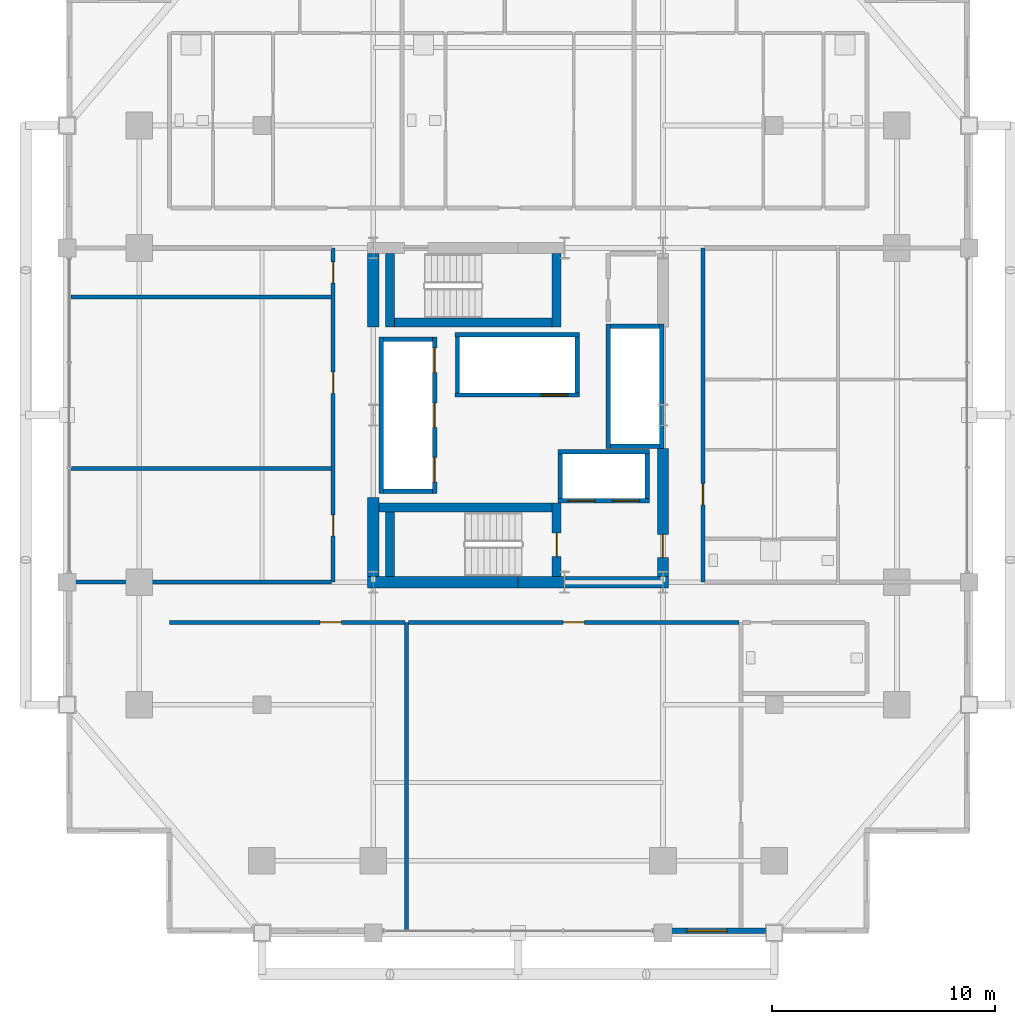
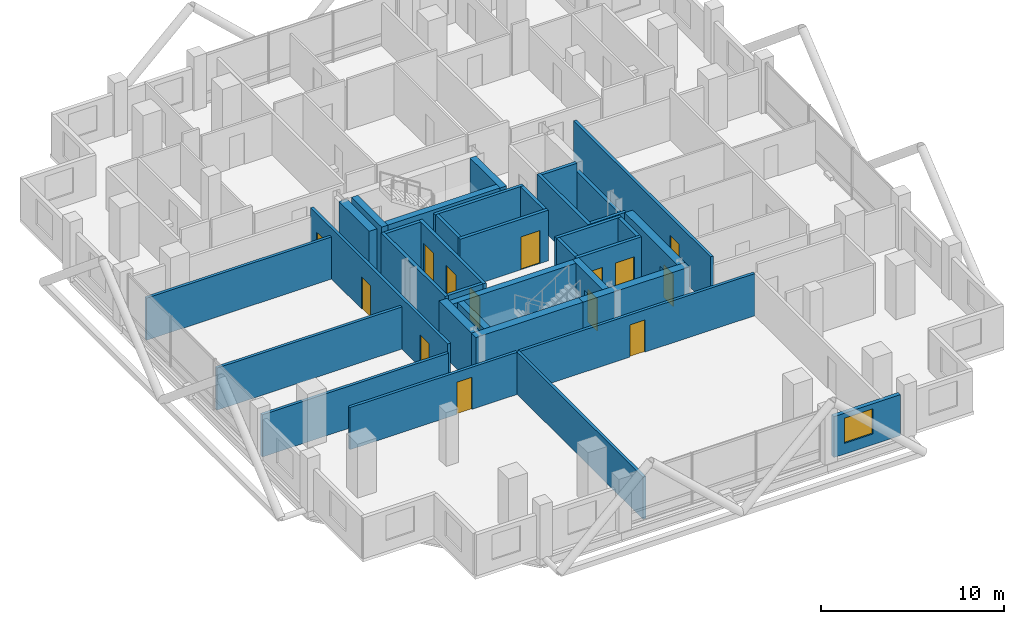
# One storey, part 19 of 24: 36 walls, 14 doors, 1 window, 15 openings.
"""IFC4 building model written with IfcOpenShell, lengths in metres."""

from ifc_helpers import new_model, si_unit, direction, frame, frame_2d, origin, place, context, subcontext, project, spatial, rectangle, extrude, material, layer, layer_set, type_object, element, fill, save


model = new_model("IFC4")

# Units and contexts
model_context = context("Model", 3, precision=1e-05, world=origin(), true_north=direction((0.0, 1.0)))
body_context = subcontext(model_context, "Body", "Model", "MODEL_VIEW")
ifc_project = project(units=[si_unit("LENGTHUNIT", "METRE"), si_unit("AREAUNIT", "SQUARE_METRE"), si_unit("VOLUMEUNIT", "CUBIC_METRE"), si_unit("PLANEANGLEUNIT", "RADIAN"), si_unit("MASSUNIT", "GRAM", prefix="KILO")], contexts=[model_context])

# Site, building, storey
site_placement = place(None, origin())
site = spatial("IfcSite", under=ifc_project, at=site_placement, CompositionType="ELEMENT")
building_placement = place(site_placement, origin())
building = spatial("IfcBuilding", under=site, at=building_placement, Name="Barlavira Tower and Art Museum", CompositionType="ELEMENT")
storey_placement = place(building_placement, frame((0.0, 0.0, 109.800048828125)))
storey = spatial("IfcBuildingStorey", under=building, at=storey_placement, Name="L27", CompositionType="ELEMENT", Elevation=109.800048828125)

# Walls
ifc_material_1 = material(Name="Concrete C60", Category="concrete")
ifc_layer_1 = layer(ifc_material_1, 0.5, Name="Concrete C60")
ifc_layer_set_1 = layer_set([ifc_layer_1], Name="Concrete C60")
wall_type_1 = type_object("IfcWallType", Name="Core Structural Shear Wall 500 Concrete C60", PredefinedType="SHEAR", material=ifc_layer_set_1)
for number, where, z_axis, x_axis, name in (
    (1, (-6.75, -7.5, 0.0), (0.0, 0.0, 1.0), (1.0, 0.0, 0.0), "L27 Core Shear Wall CS-SW"),
    (2, (0.0, -7.5, 0.0), (0.0, 0.0, 1.0), (1.0, 0.0, 0.0), "L27 Core Shear Wall CS-SE"),
):
    element("IfcWall", number, at=place(storey_placement, frame(where, z_axis=z_axis, x_axis=x_axis)), inside=storey, type_object=wall_type_1, Name=name, PredefinedType="SHEAR", context=body_context, shape_type="SweptSolid", body=[
        extrude(rectangle(XDim=6.75, YDim=0.5, at=frame_2d((3.375, 0.0))), origin(), (0.0, 0.0, 1.0), 3.3798828125),
    ])
wall_1_placement = place(storey_placement, frame((-6.5, -7.25, 0.0), z_axis=(0.0, 0.0, 1.0), x_axis=(0.0, 1.0, 0.0)))
element("IfcWall", 3, at=wall_1_placement, inside=storey, type_object=wall_type_1, Name="L27 Core Shear Wall CS-W1", PredefinedType="SHEAR", context=body_context, shape_type="SweptSolid", body=[
    extrude(rectangle(XDim=3.550048828125, YDim=0.5, at=frame_2d((1.77490234375, 0.0))), origin(), (0.0, 0.0, 1.0), 3.3798828125),
])
wall_2_placement = place(storey_placement, frame((-6.5, 3.949951171875, 0.0), z_axis=(0.0, 0.0, 1.0), x_axis=(0.0, 1.0, 0.0)))
element("IfcWall", 4, at=wall_2_placement, inside=storey, type_object=wall_type_1, Name="L27 Core Shear Wall CS-W2", PredefinedType="SHEAR", context=body_context, shape_type="SweptSolid", body=[
    extrude(rectangle(XDim=3.300048828125, YDim=0.5, at=frame_2d((1.64990234375, 0.0))), origin(), (0.0, 0.0, 1.0), 3.3798828125),
])

# Wall, opening, door
wall_3_placement = place(storey_placement, frame((6.5, -7.25, 0.0), z_axis=(0.0, 0.0, 1.0), x_axis=(0.0, 1.0, 0.0)))
wall_3 = element("IfcWall", 5, at=wall_3_placement, inside=storey, type_object=wall_type_1, Name="L27 Core Shear Wall CS-E1", PredefinedType="SHEAR", context=body_context, shape_type="SweptSolid", body=[
    extrude(rectangle(XDim=5.75, YDim=0.5, at=frame_2d((2.875, 0.0))), origin(), (0.0, 0.0, 1.0), 3.3798828125),
])
opening_1_placement = place(wall_3_placement, frame((0.85009765625, 0.0, 0.0)))
opening_1 = element("IfcOpeningElement", 6, at=opening_1_placement, cuts=wall_3, Name="Opening FD-90", PredefinedType="OPENING", context=body_context, shape_type="SweptSolid", body=[
    extrude(rectangle(XDim=1.050048828125, YDim=2.14990234375, at=frame_2d((0.52490234375, 1.074951171875))), frame((0.0, 0.260009765625, 0.0), z_axis=(0.0, -1.0, 0.0), x_axis=(1.0, 0.0, 0.0)), (0.0, 0.0, 1.0), 0.52001953125),
])
ifc_material_2 = material(Name="Brushed stainless steel", Category="steel")
door_type_1 = type_object("IfcDoorType", Name="Stair and Refuge Fire Door 1050x2150 FD90S", OperationType="NOTDEFINED", PredefinedType="DOOR", material=ifc_material_2)
door_1_placement = place(opening_1_placement, origin())
door_1 = element("IfcDoor", 7, at=door_1_placement, inside=storey, type_object=door_type_1, Name="L27 Firefighting Lobby Entry Fire Door", OperationType="SINGLE_SWING_LEFT", OverallHeight=2.14990234375, OverallWidth=1.050048828125, PredefinedType="DOOR", context=body_context, shape_type="SweptSolid", body=[
    extrude(rectangle(XDim=1.050048828125, YDim=2.14990234375, at=frame_2d((0.52490234375, 1.074951171875))), frame((0.0, 0.02490234375, 0.0), z_axis=(0.0, -1.0, 0.0), x_axis=(1.0, 0.0, 0.0)), (0.0, 0.0, 1.0), 0.050048828125),
])
fill(opening_1, door_1)

# Wall, openings, doors
ifc_material_3 = material(Name="Autoclaved aerated concrete masonry", Category="masonry")
ifc_layer_2 = layer(ifc_material_3, 0.199951171875, Name="Autoclaved aerated concrete masonry")
ifc_layer_set_2 = layer_set([ifc_layer_2], Name="Autoclaved aerated concrete masonry")
wall_type_2 = type_object("IfcWallType", Name="Fire Compartment and Shaft Wall 200", PredefinedType="SOLIDWALL", material=ifc_layer_set_2)
wall_4_placement = place(storey_placement, frame((-3.75, -3.510009765625, 0.0), z_axis=(0.0, 0.0, 1.0), x_axis=(0.0, 1.0, 0.0)))
wall_4 = element("IfcWall", 8, at=wall_4_placement, inside=storey, type_object=wall_type_2, Name="L27 Low-Rise Lift Front Shaft Wall", PredefinedType="SOLIDWALL", context=body_context, shape_type="SweptSolid", body=[
    extrude(rectangle(XDim=7.02001953125, YDim=0.199951171875, at=frame_2d((3.510009765625, 0.0))), origin(), (0.0, 0.0, 1.0), 3.3798828125),
])
opening_2_placement = place(wall_4_placement, frame((0.510009765625, 0.0, 0.0)))
opening_2 = element("IfcOpeningElement", 9, at=opening_2_placement, cuts=wall_4, Name="Opening LD-P", PredefinedType="OPENING", context=body_context, shape_type="SweptSolid", body=[
    extrude(rectangle(XDim=1.10009765625, YDim=2.14990234375, at=frame_2d((0.550048828125, 1.074951171875))), frame((0.0, 0.10986328125, 0.0), z_axis=(0.0, -1.0, 0.0), x_axis=(1.0, 0.0, 0.0)), (0.0, 0.0, 1.0), 0.219970703125),
])
opening_3_placement = place(wall_4_placement, frame((2.9599609375, 0.0, 0.0)))
opening_3 = element("IfcOpeningElement", 10, at=opening_3_placement, cuts=wall_4, Name="Opening LD-P", PredefinedType="OPENING", context=body_context, shape_type="SweptSolid", body=[
    extrude(rectangle(XDim=1.10009765625, YDim=2.14990234375, at=frame_2d((0.550048828125, 1.074951171875))), frame((0.0, 0.10986328125, 0.0), z_axis=(0.0, -1.0, 0.0), x_axis=(1.0, 0.0, 0.0)), (0.0, 0.0, 1.0), 0.219970703125),
])
opening_4_placement = place(wall_4_placement, frame((5.409912109375, 0.0, 0.0)))
opening_4 = element("IfcOpeningElement", 11, at=opening_4_placement, cuts=wall_4, Name="Opening LD-P", PredefinedType="OPENING", context=body_context, shape_type="SweptSolid", body=[
    extrude(rectangle(XDim=1.10009765625, YDim=2.14990234375, at=frame_2d((0.550048828125, 1.074951171875))), frame((0.0, 0.10986328125, 0.0), z_axis=(0.0, -1.0, 0.0), x_axis=(1.0, 0.0, 0.0)), (0.0, 0.0, 1.0), 0.219970703125),
])
door_type_2 = type_object("IfcDoorType", Name="Passenger Lift Sliding Landing Door 1100x2150 FD60", OperationType="NOTDEFINED", PredefinedType="DOOR", material=ifc_material_2)
door_2_placement = place(opening_2_placement, origin())
door_2 = element("IfcDoor", 12, at=door_2_placement, inside=storey, type_object=door_type_2, Name="L27 Lift PL1 Sliding Landing Door", OperationType="DOUBLE_DOOR_SLIDING", OverallHeight=2.14990234375, OverallWidth=1.10009765625, PredefinedType="DOOR", context=body_context, shape_type="SweptSolid", body=[
    extrude(rectangle(XDim=1.10009765625, YDim=2.14990234375, at=frame_2d((0.550048828125, 1.074951171875))), frame((0.0, 0.02490234375, 0.0), z_axis=(0.0, -1.0, 0.0), x_axis=(1.0, 0.0, 0.0)), (0.0, 0.0, 1.0), 0.050048828125),
])
fill(opening_2, door_2)
door_3_placement = place(opening_3_placement, origin())
door_3 = element("IfcDoor", 13, at=door_3_placement, inside=storey, type_object=door_type_2, Name="L27 Lift PL2 Sliding Landing Door", OperationType="DOUBLE_DOOR_SLIDING", OverallHeight=2.14990234375, OverallWidth=1.10009765625, PredefinedType="DOOR", context=body_context, shape_type="SweptSolid", body=[
    extrude(rectangle(XDim=1.10009765625, YDim=2.14990234375, at=frame_2d((0.550048828125, 1.074951171875))), frame((0.0, 0.02490234375, 0.0), z_axis=(0.0, -1.0, 0.0), x_axis=(1.0, 0.0, 0.0)), (0.0, 0.0, 1.0), 0.050048828125),
])
fill(opening_3, door_3)
door_4_placement = place(opening_4_placement, origin())
door_4 = element("IfcDoor", 14, at=door_4_placement, inside=storey, type_object=door_type_2, Name="L27 Lift PL3 Sliding Landing Door", OperationType="DOUBLE_DOOR_SLIDING", OverallHeight=2.14990234375, OverallWidth=1.10009765625, PredefinedType="DOOR", context=body_context, shape_type="SweptSolid", body=[
    extrude(rectangle(XDim=1.10009765625, YDim=2.14990234375, at=frame_2d((0.550048828125, 1.074951171875))), frame((0.0, 0.02490234375, 0.0), z_axis=(0.0, -1.0, 0.0), x_axis=(1.0, 0.0, 0.0)), (0.0, 0.0, 1.0), 0.050048828125),
])
fill(opening_4, door_4)

# Walls
wall_5_placement = place(storey_placement, frame((-6.14990234375, -3.510009765625, 0.0), z_axis=(0.0, 0.0, 1.0), x_axis=(0.0, 1.0, 0.0)))
element("IfcWall", 15, at=wall_5_placement, inside=storey, type_object=wall_type_2, Name="L27 Low-Rise Lift Back Shaft Wall", PredefinedType="SOLIDWALL", context=body_context, shape_type="SweptSolid", body=[
    extrude(rectangle(XDim=7.02001953125, YDim=0.199951171875, at=frame_2d((3.510009765625, 0.0))), origin(), (0.0, 0.0, 1.0), 3.3798828125),
])
for number, where, z_axis, x_axis, name in (
    (16, (-6.050048828125, -3.409912109375, 0.0), (0.0, 0.0, 1.0), (1.0, 0.0, 0.0), "L27 Low-Rise Lift South Shaft Wall"),
    (17, (-6.050048828125, 3.409912109375, 0.0), (0.0, 0.0, 1.0), (1.0, 0.0, 0.0), "L27 Low-Rise Lift North Shaft Wall"),
):
    element("IfcWall", number, at=place(storey_placement, frame(where, z_axis=z_axis, x_axis=x_axis)), inside=storey, type_object=wall_type_2, Name=name, PredefinedType="SOLIDWALL", context=body_context, shape_type="SweptSolid", body=[
        extrude(rectangle(XDim=2.199951171875, YDim=0.199951171875, at=frame_2d((1.10009765625, 0.0))), origin(), (0.0, 0.0, 1.0), 3.3798828125),
    ])
wall_6_placement = place(storey_placement, frame((4.050048828125, -1.489990234375, 0.0), z_axis=(0.0, 0.0, 1.0), x_axis=(0.0, 1.0, 0.0)))
element("IfcWall", 18, at=wall_6_placement, inside=storey, type_object=wall_type_2, Name="L27 Mid-Rise Lift Front Shaft Wall", PredefinedType="SOLIDWALL", context=body_context, shape_type="SweptSolid", body=[
    extrude(rectangle(XDim=5.580078125, YDim=0.199951171875, at=frame_2d((2.7900390625, 0.0))), origin(), (0.0, 0.0, 1.0), 3.3798828125),
])
wall_7_placement = place(storey_placement, frame((6.449951171875, -1.489990234375, 0.0), z_axis=(0.0, 0.0, 1.0), x_axis=(0.0, 1.0, 0.0)))
element("IfcWall", 19, at=wall_7_placement, inside=storey, type_object=wall_type_2, Name="L27 Mid-Rise Lift Back Shaft Wall", PredefinedType="SOLIDWALL", context=body_context, shape_type="SweptSolid", body=[
    extrude(rectangle(XDim=5.580078125, YDim=0.199951171875, at=frame_2d((2.7900390625, 0.0))), origin(), (0.0, 0.0, 1.0), 2.81591796875),
])
for number, where, z_axis, x_axis, name in (
    (20, (4.14990234375, -1.389892578125, 0.0), (0.0, 0.0, 1.0), (1.0, 0.0, 0.0), "L27 Mid-Rise Lift South Shaft Wall"),
    (21, (4.14990234375, 3.989990234375, 0.0), (0.0, 0.0, 1.0), (1.0, 0.0, 0.0), "L27 Mid-Rise Lift North Shaft Wall"),
):
    element("IfcWall", number, at=place(storey_placement, frame(where, z_axis=z_axis, x_axis=x_axis)), inside=storey, type_object=wall_type_2, Name=name, PredefinedType="SOLIDWALL", context=body_context, shape_type="SweptSolid", body=[
        extrude(rectangle(XDim=2.2001953125, YDim=0.199951171875, at=frame_2d((1.10009765625, 0.0))), origin(), (0.0, 0.0, 1.0), 3.3798828125),
    ])

# Wall, opening, door
wall_8_placement = place(storey_placement, frame((-2.820068359375, 0.89990234375, 0.0), z_axis=(0.0, 0.0, 1.0), x_axis=(1.0, 0.0, 0.0)))
wall_8 = element("IfcWall", 22, at=wall_8_placement, inside=storey, type_object=wall_type_2, Name="L27 High-Rise & Service Lift Front Wall", PredefinedType="SOLIDWALL", context=body_context, shape_type="SweptSolid", body=[
    extrude(rectangle(XDim=5.580078125, YDim=0.199951171875, at=frame_2d((2.7900390625, 0.0))), origin(), (0.0, 0.0, 1.0), 3.3798828125),
])
opening_5_placement = place(wall_8_placement, frame((3.860107421875, 0.0, 0.0)))
opening_5 = element("IfcOpeningElement", 23, at=opening_5_placement, cuts=wall_8, Name="Opening LD-F", PredefinedType="OPENING", context=body_context, shape_type="SweptSolid", body=[
    extrude(rectangle(XDim=1.199951171875, YDim=2.199951171875, at=frame_2d((0.60009765625, 1.10009765625))), frame((0.0, 0.10986328125, 0.0), z_axis=(0.0, -1.0, 0.0), x_axis=(1.0, 0.0, 0.0)), (0.0, 0.0, 1.0), 0.219970703125),
])
door_type_3 = type_object("IfcDoorType", Name="Firefighting and Service Lift Sliding Door 1200x2200 FD120", OperationType="NOTDEFINED", PredefinedType="DOOR", material=ifc_material_2)
door_5_placement = place(opening_5_placement, origin())
door_5 = element("IfcDoor", 24, at=door_5_placement, inside=storey, type_object=door_type_3, Name="L27 Stretcher Service Lift SL1 Sliding Door", OperationType="DOUBLE_DOOR_SLIDING", OverallHeight=2.199951171875, OverallWidth=1.199951171875, PredefinedType="DOOR", context=body_context, shape_type="SweptSolid", body=[
    extrude(rectangle(XDim=1.199951171875, YDim=2.199951171875, at=frame_2d((0.60009765625, 1.10009765625))), frame((0.0, 0.02490234375, 0.0), z_axis=(0.0, -1.0, 0.0), x_axis=(1.0, 0.0, 0.0)), (0.0, 0.0, 1.0), 0.050048828125),
])
fill(opening_5, door_5)

# Walls
wall_9_placement = place(storey_placement, frame((-2.820068359375, 3.60009765625, 0.0), z_axis=(0.0, 0.0, 1.0), x_axis=(1.0, 0.0, 0.0)))
element("IfcWall", 25, at=wall_9_placement, inside=storey, type_object=wall_type_2, Name="L27 High-Rise & Service Lift Back Wall", PredefinedType="SOLIDWALL", context=body_context, shape_type="SweptSolid", body=[
    extrude(rectangle(XDim=5.580078125, YDim=0.199951171875, at=frame_2d((2.7900390625, 0.0))), origin(), (0.0, 0.0, 1.0), 3.3798828125),
])
for number, where, z_axis, x_axis, name in (
    (26, (-2.719970703125, 1.0, 0.0), (0.0, 0.0, 1.0), (0.0, 1.0, 0.0), "L27 High-Rise & Service Lift West Wall"),
    (27, (2.659912109375, 1.0, 0.0), (0.0, 0.0, 1.0), (0.0, 1.0, 0.0), "L27 High-Rise & Service Lift East Wall"),
):
    element("IfcWall", number, at=place(storey_placement, frame(where, z_axis=z_axis, x_axis=x_axis)), inside=storey, type_object=wall_type_2, Name=name, PredefinedType="SOLIDWALL", context=body_context, shape_type="SweptSolid", body=[
        extrude(rectangle(XDim=2.5, YDim=0.199951171875, at=frame_2d((1.25, 0.0))), origin(), (0.0, 0.0, 1.0), 3.3798828125),
    ])

# Wall, openings, doors
wall_10_placement = place(storey_placement, frame((1.800048828125, -3.85009765625, 0.0), z_axis=(0.0, 0.0, 1.0), x_axis=(1.0, 0.0, 0.0)))
wall_10 = element("IfcWall", 28, at=wall_10_placement, inside=storey, type_object=wall_type_2, Name="L27 Firefighting Lift Front Shaft Wall", PredefinedType="SOLIDWALL", context=body_context, shape_type="SweptSolid", body=[
    extrude(rectangle(XDim=4.099853515625, YDim=0.199951171875, at=frame_2d((2.0498046875, 0.0))), origin(), (0.0, 0.0, 1.0), 3.3798828125),
])
opening_6_placement = place(wall_10_placement, frame((0.449951171875, 0.0, 0.0)))
opening_6 = element("IfcOpeningElement", 29, at=opening_6_placement, cuts=wall_10, Name="Opening LD-F", PredefinedType="OPENING", context=body_context, shape_type="SweptSolid", body=[
    extrude(rectangle(XDim=1.199951171875, YDim=2.199951171875, at=frame_2d((0.60009765625, 1.10009765625))), frame((0.0, 0.10986328125, 0.0), z_axis=(0.0, -1.0, 0.0), x_axis=(1.0, 0.0, 0.0)), (0.0, 0.0, 1.0), 0.219970703125),
])
opening_7_placement = place(wall_10_placement, frame((2.449951171875, 0.0, 0.0)))
opening_7 = element("IfcOpeningElement", 30, at=opening_7_placement, cuts=wall_10, Name="Opening LD-F", PredefinedType="OPENING", context=body_context, shape_type="SweptSolid", body=[
    extrude(rectangle(XDim=1.199951171875, YDim=2.199951171875, at=frame_2d((0.60009765625, 1.10009765625))), frame((0.0, 0.10986328125, 0.0), z_axis=(0.0, -1.0, 0.0), x_axis=(1.0, 0.0, 0.0)), (0.0, 0.0, 1.0), 0.219970703125),
])
door_6_placement = place(opening_6_placement, origin())
door_6 = element("IfcDoor", 31, at=door_6_placement, inside=storey, type_object=door_type_3, Name="L27 Firefighting Lift FF1 Sliding Door", OperationType="DOUBLE_DOOR_SLIDING", OverallHeight=2.199951171875, OverallWidth=1.199951171875, PredefinedType="DOOR", context=body_context, shape_type="SweptSolid", body=[
    extrude(rectangle(XDim=1.199951171875, YDim=2.199951171875, at=frame_2d((0.60009765625, 1.10009765625))), frame((0.0, 0.02490234375, 0.0), z_axis=(0.0, -1.0, 0.0), x_axis=(1.0, 0.0, 0.0)), (0.0, 0.0, 1.0), 0.050048828125),
])
fill(opening_6, door_6)
door_7_placement = place(opening_7_placement, origin())
door_7 = element("IfcDoor", 32, at=door_7_placement, inside=storey, type_object=door_type_3, Name="L27 Firefighting Lift FF2 Sliding Door", OperationType="DOUBLE_DOOR_SLIDING", OverallHeight=2.199951171875, OverallWidth=1.199951171875, PredefinedType="DOOR", context=body_context, shape_type="SweptSolid", body=[
    extrude(rectangle(XDim=1.199951171875, YDim=2.199951171875, at=frame_2d((0.60009765625, 1.10009765625))), frame((0.0, 0.02490234375, 0.0), z_axis=(0.0, -1.0, 0.0), x_axis=(1.0, 0.0, 0.0)), (0.0, 0.0, 1.0), 0.050048828125),
])
fill(opening_7, door_7)

# Walls
wall_11_placement = place(storey_placement, frame((1.800048828125, -1.64990234375, 0.0), z_axis=(0.0, 0.0, 1.0), x_axis=(1.0, 0.0, 0.0)))
element("IfcWall", 33, at=wall_11_placement, inside=storey, type_object=wall_type_2, Name="L27 Firefighting Lift Back Shaft Wall", PredefinedType="SOLIDWALL", context=body_context, shape_type="SweptSolid", body=[
    extrude(rectangle(XDim=4.099853515625, YDim=0.199951171875, at=frame_2d((2.0498046875, 0.0))), origin(), (0.0, 0.0, 1.0), 3.3798828125),
])
for number, where, z_axis, x_axis, name in (
    (34, (1.89990234375, -3.75, 0.0), (0.0, 0.0, 1.0), (0.0, 1.0, 0.0), "L27 Firefighting Lift West Shaft Wall"),
    (35, (5.800048828125, -3.75, 0.0), (0.0, 0.0, 1.0), (0.0, 1.0, 0.0), "L27 Firefighting Lift East Shaft Wall"),
):
    element("IfcWall", number, at=place(storey_placement, frame(where, z_axis=z_axis, x_axis=x_axis)), inside=storey, type_object=wall_type_2, Name=name, PredefinedType="SOLIDWALL", context=body_context, shape_type="SweptSolid", body=[
        extrude(rectangle(XDim=2.0, YDim=0.199951171875, at=frame_2d((1.0, 0.0))), origin(), (0.0, 0.0, 1.0), 3.3798828125),
    ])

# Wall, openings, doors
ifc_material_4 = material(Name="Gypsum acoustic stud partition", Category="gypsum")
ifc_layer_3 = layer(ifc_material_4, 0.179931640625, Name="Gypsum acoustic stud partition")
ifc_layer_set_3 = layer_set([ifc_layer_3], Name="Gypsum acoustic stud partition")
wall_type_3 = type_object("IfcWallType", Name="Inter-Tenancy Party Partition Wall 180", PredefinedType="PARTITIONING", material=ifc_layer_set_3)
wall_12_placement = place(storey_placement, frame((-8.300048828125, -7.5, 0.0), z_axis=(0.0, 0.0, 1.0), x_axis=(0.0, 1.0, 0.0)))
wall_12 = element("IfcWall", 36, at=wall_12_placement, inside=storey, type_object=wall_type_3, Name="L27 Partition Wall 5", PredefinedType="PARTITIONING", context=body_context, shape_type="SweptSolid", body=[
    extrude(rectangle(XDim=15.0, YDim=0.179931640625, at=frame_2d((7.5, 0.0))), origin(), (0.0, 0.0, 1.0), 3.3798828125),
])
opening_8_placement = place(wall_12_placement, frame((2.074951171875, 0.0, 0.0)))
opening_8 = element("IfcOpeningElement", 37, at=opening_8_placement, cuts=wall_12, Name="Opening FD-60", PredefinedType="OPENING", context=body_context, shape_type="SweptSolid", body=[
    extrude(rectangle(XDim=0.949951171875, YDim=2.14990234375, at=frame_2d((0.47509765625, 1.074951171875))), frame((0.0, 0.10009765625, 0.0), z_axis=(0.0, -1.0, 0.0), x_axis=(1.0, 0.0, 0.0)), (0.0, 0.0, 1.0), 0.199951171875),
])
opening_9_placement = place(wall_12_placement, frame((8.47509765625, 0.0, 0.0)))
opening_9 = element("IfcOpeningElement", 38, at=opening_9_placement, cuts=wall_12, Name="Opening FD-60", PredefinedType="OPENING", context=body_context, shape_type="SweptSolid", body=[
    extrude(rectangle(XDim=0.949951171875, YDim=2.14990234375, at=frame_2d((0.47509765625, 1.074951171875))), frame((0.0, 0.10009765625, 0.0), z_axis=(0.0, -1.0, 0.0), x_axis=(1.0, 0.0, 0.0)), (0.0, 0.0, 1.0), 0.199951171875),
])
opening_10_placement = place(wall_12_placement, frame((13.425048828125, 0.0, 0.0)))
opening_10 = element("IfcOpeningElement", 39, at=opening_10_placement, cuts=wall_12, Name="Opening FD-60", PredefinedType="OPENING", context=body_context, shape_type="SweptSolid", body=[
    extrude(rectangle(XDim=0.949951171875, YDim=2.14990234375, at=frame_2d((0.47509765625, 1.074951171875))), frame((0.0, 0.10009765625, 0.0), z_axis=(0.0, -1.0, 0.0), x_axis=(1.0, 0.0, 0.0)), (0.0, 0.0, 1.0), 0.199951171875),
])
door_type_4 = type_object("IfcDoorType", Name="Apartment Entrance and Riser Fire Door 950x2150 FD60S", OperationType="NOTDEFINED", PredefinedType="DOOR", material=ifc_material_2)
door_8_placement = place(opening_8_placement, origin())
door_8 = element("IfcDoor", 40, at=door_8_placement, inside=storey, type_object=door_type_4, Name="Resident Sky Coworking Studio Door", OperationType="SINGLE_SWING_RIGHT", OverallHeight=2.14990234375, OverallWidth=0.949951171875, PredefinedType="DOOR", context=body_context, shape_type="SweptSolid", body=[
    extrude(rectangle(XDim=0.949951171875, YDim=2.14990234375, at=frame_2d((0.47509765625, 1.074951171875))), frame((0.0, 0.02490234375, 0.0), z_axis=(0.0, -1.0, 0.0), x_axis=(1.0, 0.0, 0.0)), (0.0, 0.0, 1.0), 0.050048828125),
])
fill(opening_8, door_8)
door_9_placement = place(opening_9_placement, origin())
door_9 = element("IfcDoor", 41, at=door_9_placement, inside=storey, type_object=door_type_4, Name="Atlantic Horizon Boardroom Door", OperationType="SINGLE_SWING_LEFT", OverallHeight=2.14990234375, OverallWidth=0.949951171875, PredefinedType="DOOR", context=body_context, shape_type="SweptSolid", body=[
    extrude(rectangle(XDim=0.949951171875, YDim=2.14990234375, at=frame_2d((0.47509765625, 1.074951171875))), frame((0.0, 0.02490234375, 0.0), z_axis=(0.0, -1.0, 0.0), x_axis=(1.0, 0.0, 0.0)), (0.0, 0.0, 1.0), 0.050048828125),
])
fill(opening_9, door_9)
door_10_placement = place(opening_10_placement, origin())
door_10 = element("IfcDoor", 42, at=door_10_placement, inside=storey, type_object=door_type_4, Name="Shared Coworking Espresso Pantry Door", OperationType="SINGLE_SWING_RIGHT", OverallHeight=2.14990234375, OverallWidth=0.949951171875, PredefinedType="DOOR", context=body_context, shape_type="SweptSolid", body=[
    extrude(rectangle(XDim=0.949951171875, YDim=2.14990234375, at=frame_2d((0.47509765625, 1.074951171875))), frame((0.0, 0.02490234375, 0.0), z_axis=(0.0, -1.0, 0.0), x_axis=(1.0, 0.0, 0.0)), (0.0, 0.0, 1.0), 0.050048828125),
])
fill(opening_10, door_10)

# Wall
wall_13_placement = place(storey_placement, frame((-5.0, -23.14990234375, 0.0), z_axis=(0.0, 0.0, 1.0), x_axis=(0.0, 1.0, 0.0)))
element("IfcWall", 43, at=wall_13_placement, inside=storey, type_object=wall_type_3, Name="L27 Partition Wall 7", PredefinedType="PARTITIONING", context=body_context, shape_type="SweptSolid", body=[
    extrude(rectangle(XDim=13.849853515625, YDim=0.179931640625, at=frame_2d((6.9248046875, 0.0))), origin(), (0.0, 0.0, 1.0), 2.81591796875),
])

# Wall, opening, door
wall_14_placement = place(storey_placement, frame((8.300048828125, -7.5, 0.0), z_axis=(0.0, 0.0, 1.0), x_axis=(0.0, 1.0, 0.0)))
wall_14 = element("IfcWall", 44, at=wall_14_placement, inside=storey, type_object=wall_type_3, Name="L27 Partition Wall 13", PredefinedType="PARTITIONING", context=body_context, shape_type="SweptSolid", body=[
    extrude(rectangle(XDim=15.0, YDim=0.179931640625, at=frame_2d((7.5, 0.0))), origin(), (0.0, 0.0, 1.0), 3.3798828125),
])
opening_11_placement = place(wall_14_placement, frame((3.47509765625, 0.0, 0.0)))
opening_11 = element("IfcOpeningElement", 45, at=opening_11_placement, cuts=wall_14, Name="Opening FD-60", PredefinedType="OPENING", context=body_context, shape_type="SweptSolid", body=[
    extrude(rectangle(XDim=0.949951171875, YDim=2.14990234375, at=frame_2d((0.47509765625, 1.074951171875))), frame((0.0, 0.10009765625, 0.0), z_axis=(0.0, -1.0, 0.0), x_axis=(1.0, 0.0, 0.0)), (0.0, 0.0, 1.0), 0.199951171875),
])
door_11_placement = place(opening_11_placement, origin())
door_11 = element("IfcDoor", 46, at=door_11_placement, inside=storey, type_object=door_type_4, Name="Apartment Entrance Hall E1 Door", OperationType="SINGLE_SWING_RIGHT", OverallHeight=2.14990234375, OverallWidth=0.949951171875, PredefinedType="DOOR", context=body_context, shape_type="SweptSolid", body=[
    extrude(rectangle(XDim=0.949951171875, YDim=2.14990234375, at=frame_2d((0.47509765625, 1.074951171875))), frame((0.0, 0.02490234375, 0.0), z_axis=(0.0, -1.0, 0.0), x_axis=(1.0, 0.0, 0.0)), (0.0, 0.0, 1.0), 0.050048828125),
])
fill(opening_11, door_11)

wall_15_placement = place(storey_placement, frame((-15.64990234375, -9.300048828125, 0.0), z_axis=(0.0, 0.0, 1.0), x_axis=(1.0, 0.0, 0.0)))
wall_15 = element("IfcWall", 47, at=wall_15_placement, inside=storey, type_object=wall_type_3, Name="L27 Partition Wall 22", PredefinedType="PARTITIONING", context=body_context, shape_type="SweptSolid", body=[
    extrude(rectangle(XDim=10.56982421875, YDim=0.179931640625, at=frame_2d((5.284912109375, 0.0))), origin(), (0.0, 0.0, 1.0), 2.81591796875),
])
opening_12_placement = place(wall_15_placement, frame((6.764892578125, 0.0, 0.0)))
opening_12 = element("IfcOpeningElement", 48, at=opening_12_placement, cuts=wall_15, Name="Opening FD-60", PredefinedType="OPENING", context=body_context, shape_type="SweptSolid", body=[
    extrude(rectangle(XDim=0.949951171875, YDim=2.14990234375, at=frame_2d((0.47509765625, 1.074951171875))), frame((0.0, 0.10009765625, 0.0), z_axis=(0.0, -1.0, 0.0), x_axis=(1.0, 0.0, 0.0)), (0.0, 0.0, 1.0), 0.199951171875),
])
door_12_placement = place(opening_12_placement, origin())
door_12 = element("IfcDoor", 49, at=door_12_placement, inside=storey, type_object=door_type_4, Name="Resident Ocean-View Fitness Studio Door", OperationType="SINGLE_SWING_LEFT", OverallHeight=2.14990234375, OverallWidth=0.949951171875, PredefinedType="DOOR", context=body_context, shape_type="SweptSolid", body=[
    extrude(rectangle(XDim=0.949951171875, YDim=2.14990234375, at=frame_2d((0.47509765625, 1.074951171875))), frame((0.0, 0.02490234375, 0.0), z_axis=(0.0, -1.0, 0.0), x_axis=(1.0, 0.0, 0.0)), (0.0, 0.0, 1.0), 0.050048828125),
])
fill(opening_12, door_12)

wall_16_placement = place(storey_placement, frame((-4.919921875, -9.300048828125, 0.0), z_axis=(0.0, 0.0, 1.0), x_axis=(1.0, 0.0, 0.0)))
wall_16 = element("IfcWall", 50, at=wall_16_placement, inside=storey, type_object=wall_type_3, Name="L27 Partition Wall 23", PredefinedType="PARTITIONING", context=body_context, shape_type="SweptSolid", body=[
    extrude(rectangle(XDim=14.83984375, YDim=0.179931640625, at=frame_2d((7.419921875, 0.0))), origin(), (0.0, 0.0, 1.0), 2.81591796875),
])
opening_13_placement = place(wall_16_placement, frame((6.945068359375, 0.0, 0.0)))
opening_13 = element("IfcOpeningElement", 51, at=opening_13_placement, cuts=wall_16, Name="Opening FD-60", PredefinedType="OPENING", context=body_context, shape_type="SweptSolid", body=[
    extrude(rectangle(XDim=0.949951171875, YDim=2.14990234375, at=frame_2d((0.47509765625, 1.074951171875))), frame((0.0, 0.10009765625, 0.0), z_axis=(0.0, -1.0, 0.0), x_axis=(1.0, 0.0, 0.0)), (0.0, 0.0, 1.0), 0.199951171875),
])
door_13_placement = place(opening_13_placement, origin())
door_13 = element("IfcDoor", 52, at=door_13_placement, inside=storey, type_object=door_type_4, Name="Coastal Hydrotherapy and Yoga Lounge Door", OperationType="SINGLE_SWING_RIGHT", OverallHeight=2.14990234375, OverallWidth=0.949951171875, PredefinedType="DOOR", context=body_context, shape_type="SweptSolid", body=[
    extrude(rectangle(XDim=0.949951171875, YDim=2.14990234375, at=frame_2d((0.47509765625, 1.074951171875))), frame((0.0, 0.02490234375, 0.0), z_axis=(0.0, -1.0, 0.0), x_axis=(1.0, 0.0, 0.0)), (0.0, 0.0, 1.0), 0.050048828125),
])
fill(opening_13, door_13)

# Walls
wall_17_placement = place(storey_placement, frame((-20.14990234375, -7.5, 0.0), z_axis=(0.0, 0.0, 1.0), x_axis=(1.0, 0.0, 0.0)))
element("IfcWall", 53, at=wall_17_placement, inside=storey, type_object=wall_type_3, Name="L27 Partition Wall 25", PredefinedType="PARTITIONING", context=body_context, shape_type="SweptSolid", body=[
    extrude(rectangle(XDim=11.77001953125, YDim=0.179931640625, at=frame_2d((5.885009765625, 0.0))), origin(), (0.0, 0.0, 1.0), 2.81591796875),
])
for number, where, z_axis, x_axis, name in (
    (54, (-20.070068359375, -2.39990234375, 0.0), (0.0, 0.0, 1.0), (1.0, 0.0, 0.0), "L27 Partition Wall 29"),
    (55, (-20.070068359375, 5.300048828125, 0.0), (0.0, 0.0, 1.0), (1.0, 0.0, 0.0), "L27 Partition Wall 33"),
):
    element("IfcWall", number, at=place(storey_placement, frame(where, z_axis=z_axis, x_axis=x_axis)), inside=storey, type_object=wall_type_3, Name=name, PredefinedType="PARTITIONING", context=body_context, shape_type="SweptSolid", body=[
        extrude(rectangle(XDim=11.690185546875, YDim=0.179931640625, at=frame_2d((5.84521484375, 0.0))), origin(), (0.0, 0.0, 1.0), 2.81591796875),
    ])

# Wall, opening, window
ifc_material_5 = material(Name="Precast concrete C40", Category="concrete")
ifc_layer_4 = layer(ifc_material_5, 0.25, Name="Precast concrete C40")
ifc_layer_set_4 = layer_set([ifc_layer_4], Name="Precast concrete C40")
wall_type_4 = type_object("IfcWallType", Name="Notched Corner Spandrel Wall 250 Precast Concrete C40", PredefinedType="SOLIDWALL", material=ifc_layer_set_4)
wall_18_placement = place(storey_placement, frame((6.89501953125, -23.14990234375, 0.0), z_axis=(0.0, 0.0, 1.0), x_axis=(1.0, 0.0, 0.0)))
wall_18 = element("IfcWall", 56, at=wall_18_placement, inside=storey, type_object=wall_type_4, Name="L27 Coastal Facade Pier Wall CW2-L27-S-4", PredefinedType="SOLIDWALL", context=body_context, shape_type="SweptSolid", body=[
    extrude(rectangle(XDim=4.2099609375, YDim=0.25, at=frame_2d((2.10498046875, 0.0))), origin(), (0.0, 0.0, 1.0), 2.73583984375),
])
opening_14_placement = place(wall_18_placement, frame((0.675048828125, 0.0, 0.719970703125)))
opening_14 = element("IfcOpeningElement", 57, at=opening_14_placement, cuts=wall_18, Name="Opening WN-01", PredefinedType="OPENING", context=body_context, shape_type="SweptSolid", body=[
    extrude(rectangle(XDim=1.800048828125, YDim=1.679931640625, at=frame_2d((0.89990234375, 0.83984375))), frame((0.0, 0.135009765625, 0.0), z_axis=(0.0, -1.0, 0.0), x_axis=(1.0, 0.0, 0.0)), (0.0, 0.0, 1.0), 0.27001953125),
])
ifc_material_6 = material(Name="Low-iron coastal laminated glass", Category="glass")
window_type = type_object("IfcWindowType", Name="Recessed Notch Corner Punch Window 1800x1680", PartitioningType="SINGLE_PANEL", PredefinedType="WINDOW", material=ifc_material_6)
window_placement = place(opening_14_placement, origin())
window = element("IfcWindow", 58, at=window_placement, inside=storey, type_object=window_type, Name="L27 Punched Facade Window EWP-CW2-L27-S-4-1", OverallHeight=1.679931640625, OverallWidth=1.800048828125, PartitioningType="SINGLE_PANEL", PredefinedType="WINDOW", context=body_context, shape_type="SweptSolid", body=[
    extrude(rectangle(XDim=1.800048828125, YDim=1.679931640625, at=frame_2d((0.89990234375, 0.83984375))), frame((0.0, 0.030029296875, 0.0), z_axis=(0.0, -1.0, 0.0), x_axis=(1.0, 0.0, 0.0)), (0.0, 0.0, 1.0), 0.06005859375),
])
fill(opening_14, window)

# Walls
ifc_material_7 = material(Name="Concrete C55", Category="concrete")
ifc_layer_5 = layer(ifc_material_7, 0.39990234375, Name="Concrete C55")
ifc_layer_set_5 = layer_set([ifc_layer_5], Name="Concrete C55")
wall_type_5 = type_object("IfcWallType", Name="Upper Core Shear Wall 400 Concrete C55", PredefinedType="SHEAR", material=ifc_layer_set_5)
wall_19_placement = place(storey_placement, frame((-5.75, -7.25, 0.0), z_axis=(0.0, 0.0, 1.0), x_axis=(0.0, 1.0, 0.0)))
element("IfcWall", 59, at=wall_19_placement, inside=storey, type_object=wall_type_5, Name="L27 ST-T1 West Half-Landing Wall", PredefinedType="SHEAR", context=body_context, shape_type="SweptSolid", body=[
    extrude(rectangle(XDim=2.89990234375, YDim=0.39990234375, at=frame_2d((1.449951171875, 0.0))), origin(), (0.0, 0.0, 1.0), 3.3798828125),
])
wall_20_placement = place(storey_placement, frame((-6.25, -4.14990234375, 0.0), z_axis=(0.0, 0.0, 1.0), x_axis=(1.0, 0.0, 0.0)))
element("IfcWall", 60, at=wall_20_placement, inside=storey, type_object=wall_type_5, Name="L27 ST-T1 North Shaft Wall", PredefinedType="SHEAR", context=body_context, shape_type="SweptSolid", body=[
    extrude(rectangle(XDim=7.780029296875, YDim=0.39990234375, at=frame_2d((3.89013671875, 0.0))), origin(), (0.0, 0.0, 1.0), 3.3798828125),
])

# Wall, opening, door
wall_21_placement = place(storey_placement, frame((1.72998046875, -7.25, 0.0), z_axis=(0.0, 0.0, 1.0), x_axis=(0.0, 1.0, 0.0)))
wall_21 = element("IfcWall", 61, at=wall_21_placement, inside=storey, type_object=wall_type_5, Name="L27 ST-T1 East Landing Wall", PredefinedType="SHEAR", context=body_context, shape_type="SweptSolid", body=[
    extrude(rectangle(XDim=3.300048828125, YDim=0.39990234375, at=frame_2d((1.64990234375, 0.0))), origin(), (0.0, 0.0, 1.0), 3.3798828125),
])
opening_15_placement = place(wall_21_placement, frame((0.89990234375, 0.0, 0.0)))
opening_15 = element("IfcOpeningElement", 62, at=opening_15_placement, cuts=wall_21, Name="Opening FD-90", PredefinedType="OPENING", context=body_context, shape_type="SweptSolid", body=[
    extrude(rectangle(XDim=1.050048828125, YDim=2.14990234375, at=frame_2d((0.52490234375, 1.074951171875))), frame((0.0, 0.2099609375, 0.0), z_axis=(0.0, -1.0, 0.0), x_axis=(1.0, 0.0, 0.0)), (0.0, 0.0, 1.0), 0.419921875),
])
door_14_placement = place(opening_15_placement, origin())
door_14 = element("IfcDoor", 63, at=door_14_placement, inside=storey, type_object=door_type_1, Name="L27 Stair ST-T1 Fire Door", OperationType="SINGLE_SWING_RIGHT", OverallHeight=2.14990234375, OverallWidth=1.050048828125, PredefinedType="DOOR", context=body_context, shape_type="SweptSolid", body=[
    extrude(rectangle(XDim=1.050048828125, YDim=2.14990234375, at=frame_2d((0.52490234375, 1.074951171875))), frame((0.0, 0.02490234375, 0.0), z_axis=(0.0, -1.0, 0.0), x_axis=(1.0, 0.0, 0.0)), (0.0, 0.0, 1.0), 0.050048828125),
])
fill(opening_15, door_14)

# Walls
wall_22_placement = place(storey_placement, frame((-5.550048828125, 4.14990234375, 0.0), z_axis=(0.0, 0.0, 1.0), x_axis=(1.0, 0.0, 0.0)))
element("IfcWall", 64, at=wall_22_placement, inside=storey, type_object=wall_type_5, Name="L27 ST-T2 South Shaft Wall", PredefinedType="SHEAR", context=body_context, shape_type="SweptSolid", body=[
    extrude(rectangle(XDim=7.080078125, YDim=0.39990234375, at=frame_2d((3.5400390625, 0.0))), origin(), (0.0, 0.0, 1.0), 3.3798828125),
])
for number, where, z_axis, x_axis, name in (
    (65, (1.72998046875, 3.949951171875, 0.0), (0.0, 0.0, 1.0), (0.0, 1.0, 0.0), "L27 ST-T2 East Half-Landing Wall"),
    (66, (-5.75, 3.949951171875, 0.0), (0.0, 0.0, 1.0), (0.0, 1.0, 0.0), "L27 ST-T2 West Shaft Wall"),
):
    element("IfcWall", number, at=place(storey_placement, frame(where, z_axis=z_axis, x_axis=x_axis)), inside=storey, type_object=wall_type_5, Name=name, PredefinedType="SHEAR", context=body_context, shape_type="SweptSolid", body=[
        extrude(rectangle(XDim=3.300048828125, YDim=0.39990234375, at=frame_2d((1.64990234375, 0.0))), origin(), (0.0, 0.0, 1.0), 3.3798828125),
    ])

save(model, "model.ifc")
